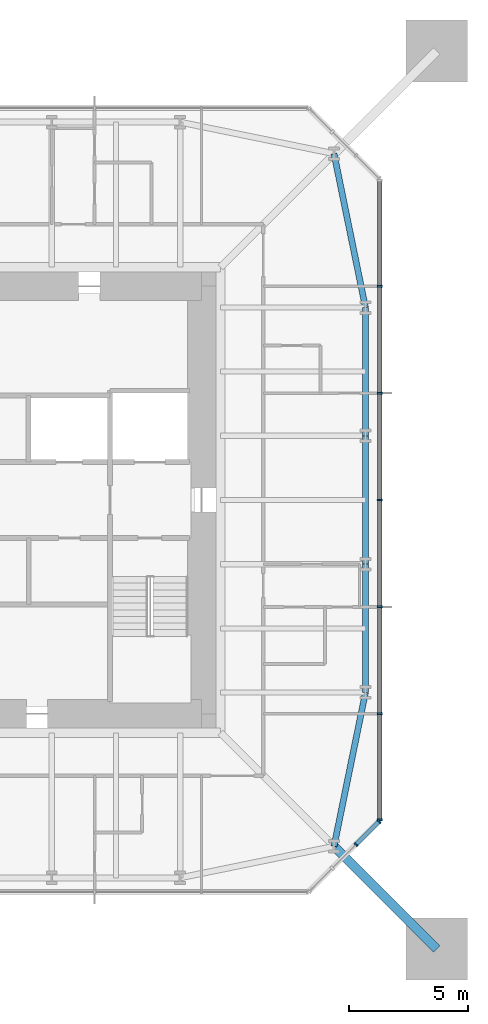
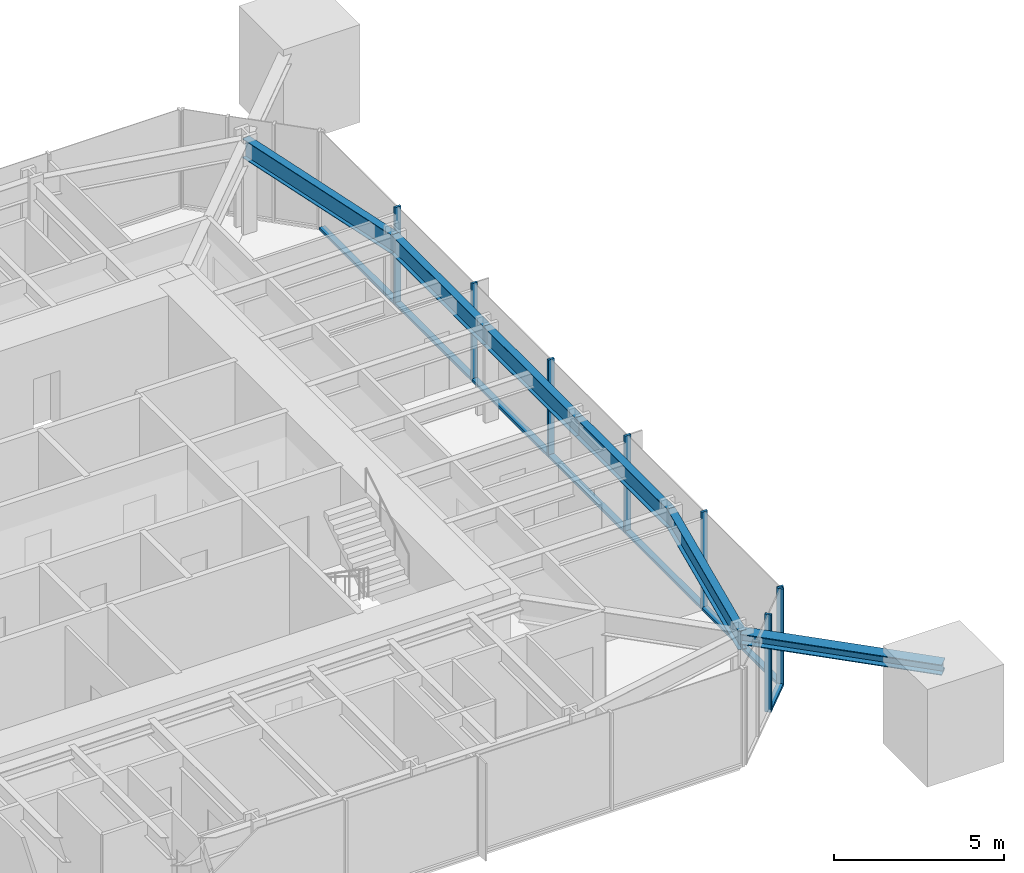
# One storey, part 3 of 9: 16 members, 5 beams, 2 elements without a shape of their own.
"""IFC4 building model written with IfcOpenShell, lengths in metres."""

import ifcopenshell
import ifcopenshell.guid

model = None  # the IFC model being written
_history = None  # IfcOwnerHistory: only IFC2X3 demands one
_inside = {}  # id of a spatial element -> (the spatial element, [elements in it])
_under = {}  # id of a project, library or spatial element -> (it, [spatial elements below it])
_declared = {}  # id of a project -> (the project, [libraries it declares])
_typed = {}  # id of a type object -> (the type object, [elements of that type])
_made_of = {}  # id of a material, layer set ... -> (it, [elements and type objects made of it])


def new_model(schema):
    """Start an empty IFC model of exactly this schema.

    Asked for "IFC4X3", IfcOpenShell would pick the latest addendum, in which some entities
    have other attributes; the version numbers below select the first issue.
    IFC2X3 requires an IfcOwnerHistory on every rooted entity: one is made here for all.
    """
    global model, _history
    if schema == "IFC4X3":
        model = ifcopenshell.file(schema_version=(4, 3, 0, 0))
    else:
        model = ifcopenshell.file(schema=schema)
    _inside.clear()
    _under.clear()
    _declared.clear()
    _typed.clear()
    _made_of.clear()
    _history = None
    if model.schema == "IFC2X3":
        org = make("IfcOrganization", Name="unknown")
        user = make(
            "IfcPersonAndOrganization",
            ThePerson=make("IfcPerson", FamilyName="unknown"),
            TheOrganization=org,
        )
        app = make(
            "IfcApplication",
            ApplicationDeveloper=org,
            Version="unknown",
            ApplicationFullName="unknown",
            ApplicationIdentifier="unknown",
        )
        _history = make(
            "IfcOwnerHistory",
            OwningUser=user,
            OwningApplication=app,
            ChangeAction="ADDED",
            CreationDate=0,
        )
    return model


def make(cls, **values):
    """One entity of the class cls with the attributes given. An attribute that is None is left unset."""
    return model.create_entity(
        cls, **{name: value for name, value in values.items() if value is not None}
    )


def rooted(cls, **values):
    """An entity with a GlobalId (a new one), such as an element, a storey or a relation."""
    return make(cls, GlobalId=ifcopenshell.guid.new(), OwnerHistory=_history, **values)


def si_unit(unit_type, name, prefix=None):
    """IfcSIUnit, for example si_unit("LENGTHUNIT", "METRE", prefix="MILLI")."""
    return make("IfcSIUnit", UnitType=unit_type, Prefix=prefix, Name=name)


def assignment(units):
    """IfcUnitAssignment: the units of a project."""
    return None if units is None else make("IfcUnitAssignment", Units=units)


def point(xyz):
    """IfcCartesianPoint."""
    return None if xyz is None else make("IfcCartesianPoint", Coordinates=xyz)


def direction(xyz):
    """IfcDirection."""
    return None if xyz is None else make("IfcDirection", DirectionRatios=xyz)


def frame(location, z_axis=None, x_axis=None):
    """IfcAxis2Placement3D, a coordinate frame: its origin and axes. An axis left out is left unset."""
    return make(
        "IfcAxis2Placement3D",
        Location=point(location),
        Axis=direction(z_axis),
        RefDirection=direction(x_axis),
    )


def frame_2d(location, x_axis=None):
    """IfcAxis2Placement2D, a coordinate frame in the plane: its origin and x axis."""
    return make(
        "IfcAxis2Placement2D", Location=point(location), RefDirection=direction(x_axis)
    )


def origin():
    """The frame at (0, 0, 0) with its axes left unset."""
    return frame((0.0, 0.0, 0.0))


def origin_2d():
    """The frame at (0, 0) in the plane with its x axis left unset."""
    return frame_2d((0.0, 0.0))


def place(relative_to, where):
    """IfcLocalPlacement: puts the frame where relative to a parent placement (None: the world)."""
    return make(
        "IfcLocalPlacement", PlacementRelTo=relative_to, RelativePlacement=where
    )


def context(
    kind, dimensions, precision=None, world=None, true_north=None, identifier=None
):
    """IfcGeometricRepresentationContext, for example the 3D "Model" context."""
    return make(
        "IfcGeometricRepresentationContext",
        ContextIdentifier=identifier,
        ContextType=kind,
        CoordinateSpaceDimension=dimensions,
        Precision=precision,
        WorldCoordinateSystem=world,
        TrueNorth=true_north,
    )


def subcontext(parent, identifier, kind, view, scale=None):
    """IfcGeometricRepresentationSubContext, for example "Body" below "Model"."""
    return make(
        "IfcGeometricRepresentationSubContext",
        ContextIdentifier=identifier,
        ContextType=kind,
        ParentContext=parent,
        TargetScale=scale,
        TargetView=view,
    )


def project(units=None, contexts=None):
    """IfcProject with its units and contexts."""
    return rooted(
        "IfcProject",
        Name="project",
        RepresentationContexts=contexts,
        UnitsInContext=assignment(units),
    )


def spatial(cls, under=None, at=None, **own):
    """A site, building, storey or space (cls), placed at a placement, below another one or the project."""
    s = rooted(cls, ObjectPlacement=at, **own)
    if under is not None:
        _under.setdefault(under.id(), (under, []))[1].append(s)
    return s


def profile(cls, at=None, kind="AREA", **sizes):
    """A parametric profile (cls). Its sizes go by their IFC names, for example OverallWidth=200.0."""
    return make(cls, ProfileType=kind, Position=at, **sizes)


def rectangle(**sizes):
    """IfcRectangleProfileDef."""
    return profile("IfcRectangleProfileDef", **sizes)


def i_section(**sizes):
    """IfcIShapeProfileDef."""
    return profile("IfcIShapeProfileDef", **sizes)


def extrude(swept, where, along, depth):
    """IfcExtrudedAreaSolid: the profile swept, set in the frame where, extruded along a direction by depth."""
    return make(
        "IfcExtrudedAreaSolid",
        SweptArea=swept,
        Position=where,
        ExtrudedDirection=direction(along),
        Depth=depth,
    )


def shape(context_of_items, identifier, shape_type, items):
    """IfcShapeRepresentation: the items that make up one representation, for example the "Body"."""
    return make(
        "IfcShapeRepresentation",
        ContextOfItems=context_of_items,
        RepresentationIdentifier=identifier,
        RepresentationType=shape_type,
        Items=items,
    )


def material(Name=None, Category=None):
    """IfcMaterial."""
    return make("IfcMaterial", Name=Name, Category=Category)


def material_profile(
    of_material, cross_section, Name=None, Category=None, Priority=None
):
    """IfcMaterialProfile: a cross section and its material."""
    return make(
        "IfcMaterialProfile",
        Name=Name,
        Material=of_material,
        Profile=cross_section,
        Priority=Priority,
        Category=Category,
    )


def profile_set(profiles, Name=None, composite=None):
    """IfcMaterialProfileSet."""
    return make(
        "IfcMaterialProfileSet",
        Name=Name,
        MaterialProfiles=profiles,
        CompositeProfile=composite,
    )


def made_of(thing, what):
    """Note that an element or type object is made of a material, layer set ...; save() writes the relation."""
    if what is not None:
        _made_of.setdefault(what.id(), (what, []))[1].append(thing)
    return thing


def type_object(cls, material=None, **own):
    """A type object (cls), such as IfcWallType, which elements share."""
    return made_of(rooted(cls, **own), material)


def element(
    cls,
    number,
    at=None,
    inside=None,
    cuts=None,
    type_object=None,
    material=None,
    context=None,
    identifier="Body",
    shape_type=None,
    held_by="IfcProductDefinitionShape",
    body=None,
    shapes=None,
    **own,
):
    """One element of the class cls, such as IfcWall. Its Tag is "e" and its number.

    at: its placement. inside: the storey or other place that contains it. cuts: it is an
    opening in that element (IfcRelVoidsElement). A single representation is given by context,
    identifier, shape_type and body (its items); several are given by shapes. held_by: the class
    of the entity that holds the representations. save() writes the other relations.
    """
    e = rooted(cls, Tag="e%d" % number, ObjectPlacement=at, **own)
    if body is not None:
        shapes = [shape(context, identifier, shape_type, body)]
    if shapes is not None:
        e.Representation = make(held_by, Representations=shapes)
    if inside is not None:
        _inside.setdefault(inside.id(), (inside, []))[1].append(e)
    if cuts is not None:
        rooted(
            "IfcRelVoidsElement", RelatingBuildingElement=cuts, RelatedOpeningElement=e
        )
    if type_object is not None:
        _typed.setdefault(type_object.id(), (type_object, []))[1].append(e)
    return made_of(e, material)


def aggregate(whole, parts):
    """IfcRelAggregates: a whole, such as a stair, and the parts it consists of."""
    return rooted("IfcRelAggregates", RelatingObject=whole, RelatedObjects=parts)


def save(model, path):
    """Write the relations noted so far, then the file.

    IfcRelAggregates (storeys below a building ...), IfcRelContainedInSpatialStructure (elements
    in a storey), IfcRelDefinesByType, IfcRelAssociatesMaterial and IfcRelDeclares: one each for
    every whole, place, type object, material and project.
    """
    for whole, parts in _under.values():
        aggregate(whole, parts)
    for where, things in _inside.values():
        rooted(
            "IfcRelContainedInSpatialStructure",
            RelatedElements=things,
            RelatingStructure=where,
        )
    for kind, things in _typed.values():
        rooted("IfcRelDefinesByType", RelatedObjects=things, RelatingType=kind)
    for what, things in _made_of.values():
        rooted("IfcRelAssociatesMaterial", RelatedObjects=things, RelatingMaterial=what)
    for by, libraries in _declared.values():
        rooted("IfcRelDeclares", RelatingContext=by, RelatedDefinitions=libraries)
    model.write(path)


model = new_model("IFC4")

# Units and contexts
model_context = context("Model", 3, precision=1e-05, world=origin(), true_north=direction((0.0, 1.0)))
body_context = subcontext(model_context, "Body", "Model", "MODEL_VIEW")
ifc_project = project(units=[si_unit("LENGTHUNIT", "METRE"), si_unit("AREAUNIT", "SQUARE_METRE"), si_unit("VOLUMEUNIT", "CUBIC_METRE"), si_unit("PLANEANGLEUNIT", "RADIAN"), si_unit("MASSUNIT", "GRAM", prefix="KILO")], contexts=[model_context])

# Site, building, storey
site_placement = place(None, origin())
site = spatial("IfcSite", under=ifc_project, at=site_placement, CompositionType="ELEMENT")
building_placement = place(site_placement, origin())
building = spatial("IfcBuilding", under=site, at=building_placement, Name="Iwan Alto Co-Living Towers", CompositionType="ELEMENT")
storey_placement = place(building_placement, frame((0.0, 0.0, 243.0)))
storey = spatial("IfcBuildingStorey", under=building, at=storey_placement, Name="L66", CompositionType="ELEMENT", Elevation=243.0)

# Curtain wall, members
ifc_material_1 = material(Name="Bronze aluminium unitised frame", Category="aluminium")
curtain_wall_type_1 = type_object("IfcCurtainWallType", Name="CURTAIN WALL CW-A", PredefinedType="NOTDEFINED", material=ifc_material_1)
curtain_wall_1_placement = place(storey_placement, origin())
curtain_wall_1 = element("IfcCurtainWall", 1, at=curtain_wall_1_placement, inside=storey, type_object=curtain_wall_type_1, Name="T1 curtain wall E L66", PredefinedType="NOTDEFINED")
ifc_material_2 = material(Name="Aluminium 6063-T6 bronze anodised", Category="aluminium")
ifc_material_profile_1 = material_profile(ifc_material_2, rectangle(XDim=0.199951171875, YDim=0.080078125, at=origin_2d()), Name="AL 80X200")
ifc_profile_set_1 = profile_set([ifc_material_profile_1], Name="Aluminium 6063-T6 bronze anodised")
member_type_1 = type_object("IfcMemberType", Name="CW-A MULLION 80X200", PredefinedType="MULLION", material=ifc_profile_set_1)
member_1_placement = place(storey_placement, frame((16.5, -13.4599609375, 0.0), z_axis=(0.0, 0.0, 1.0), x_axis=(-1.0, 0.0, 0.0)))
member_1 = element("IfcMember", 2, at=member_1_placement, type_object=member_type_1, Name="CW-A mullion 1", PredefinedType="MULLION", context=body_context, shape_type="SweptSolid", body=[
    extrude(rectangle(XDim=0.199951171875, YDim=0.080078125, at=origin_2d()), origin(), (0.0, 0.0, 1.0), 3.5),
])
member_2_placement = place(storey_placement, frame((16.5, -9.0, 0.0), z_axis=(0.0, 0.0, 1.0), x_axis=(-1.0, 0.0, 0.0)))
member_2 = element("IfcMember", 3, at=member_2_placement, type_object=member_type_1, Name="CW-A mullion 2", PredefinedType="MULLION", context=body_context, shape_type="SweptSolid", body=[
    extrude(rectangle(XDim=0.199951171875, YDim=0.080078125, at=origin_2d()), origin(), (0.0, 0.0, 1.0), 3.5),
])
member_3_placement = place(storey_placement, frame((16.5, -4.5, 0.0), z_axis=(0.0, 0.0, 1.0), x_axis=(-1.0, 0.0, 0.0)))
member_3 = element("IfcMember", 4, at=member_3_placement, type_object=member_type_1, Name="CW-A mullion 3", PredefinedType="MULLION", context=body_context, shape_type="SweptSolid", body=[
    extrude(rectangle(XDim=0.199951171875, YDim=0.080078125, at=origin_2d()), origin(), (0.0, 0.0, 1.0), 3.5),
])
member_4_placement = place(storey_placement, frame((16.5, 0.0, 0.0), z_axis=(0.0, 0.0, 1.0), x_axis=(-1.0, 0.0, 0.0)))
member_4 = element("IfcMember", 5, at=member_4_placement, type_object=member_type_1, Name="CW-A mullion 4", PredefinedType="MULLION", context=body_context, shape_type="SweptSolid", body=[
    extrude(rectangle(XDim=0.199951171875, YDim=0.080078125, at=origin_2d()), origin(), (0.0, 0.0, 1.0), 3.5),
])
member_5_placement = place(storey_placement, frame((16.5, 4.5, 0.0), z_axis=(0.0, 0.0, 1.0), x_axis=(-1.0, 0.0, 0.0)))
member_5 = element("IfcMember", 6, at=member_5_placement, type_object=member_type_1, Name="CW-A mullion 5", PredefinedType="MULLION", context=body_context, shape_type="SweptSolid", body=[
    extrude(rectangle(XDim=0.199951171875, YDim=0.080078125, at=origin_2d()), origin(), (0.0, 0.0, 1.0), 3.5),
])
member_6_placement = place(storey_placement, frame((16.5, 9.0, 0.0), z_axis=(0.0, 0.0, 1.0), x_axis=(-1.0, 0.0, 0.0)))
member_6 = element("IfcMember", 7, at=member_6_placement, type_object=member_type_1, Name="CW-A mullion 6", PredefinedType="MULLION", context=body_context, shape_type="SweptSolid", body=[
    extrude(rectangle(XDim=0.199951171875, YDim=0.080078125, at=origin_2d()), origin(), (0.0, 0.0, 1.0), 3.5),
])
ifc_material_3 = material(Name="Aluminium 6063-T6 bronze anodised", Category="aluminium")
ifc_material_profile_2 = material_profile(ifc_material_3, rectangle(XDim=0.199951171875, YDim=0.10009765625, at=origin_2d()), Name="AL 200X100")
ifc_profile_set_2 = profile_set([ifc_material_profile_2], Name="Aluminium 6063-T6 bronze anodised")
member_type_2 = type_object("IfcMemberType", Name="CW-A TRANSOM 200X100", PredefinedType="USERDEFINED", material=ifc_profile_set_2)
member_7_placement = place(storey_placement, frame((16.5, -13.419921875, 0.050048828125), z_axis=(0.0, 1.0, 0.0), x_axis=(-1.0, 0.0, 0.0)))
member_7 = element("IfcMember", 8, at=member_7_placement, type_object=member_type_2, Name="CW-A transom 1.1", ObjectType="TRANSOM", PredefinedType="USERDEFINED", context=body_context, shape_type="SweptSolid", body=[
    extrude(rectangle(XDim=0.199951171875, YDim=0.10009765625, at=origin_2d()), origin(), (0.0, 0.0, 1.0), 4.3798828125),
])
member_8_placement = place(storey_placement, frame((16.5, -8.9599609375, 0.050048828125), z_axis=(0.0, 1.0, 0.0), x_axis=(-1.0, 0.0, 0.0)))
member_8 = element("IfcMember", 9, at=member_8_placement, type_object=member_type_2, Name="CW-A transom 2.1", ObjectType="TRANSOM", PredefinedType="USERDEFINED", context=body_context, shape_type="SweptSolid", body=[
    extrude(rectangle(XDim=0.199951171875, YDim=0.10009765625, at=origin_2d()), origin(), (0.0, 0.0, 1.0), 4.419921875),
])
member_9_placement = place(storey_placement, frame((16.5, -4.4599609375, 0.050048828125), z_axis=(0.0, 1.0, 0.0), x_axis=(-1.0, 0.0, 0.0)))
member_9 = element("IfcMember", 10, at=member_9_placement, type_object=member_type_2, Name="CW-A transom 3.1", ObjectType="TRANSOM", PredefinedType="USERDEFINED", context=body_context, shape_type="SweptSolid", body=[
    extrude(rectangle(XDim=0.199951171875, YDim=0.10009765625, at=origin_2d()), origin(), (0.0, 0.0, 1.0), 4.419921875),
])
member_10_placement = place(storey_placement, frame((16.5, 0.0400390625, 0.050048828125), z_axis=(0.0, 1.0, 0.0), x_axis=(-1.0, 0.0, 0.0)))
member_10 = element("IfcMember", 11, at=member_10_placement, type_object=member_type_2, Name="CW-A transom 4.1", ObjectType="TRANSOM", PredefinedType="USERDEFINED", context=body_context, shape_type="SweptSolid", body=[
    extrude(rectangle(XDim=0.199951171875, YDim=0.10009765625, at=origin_2d()), origin(), (0.0, 0.0, 1.0), 4.419921875),
])
member_11_placement = place(storey_placement, frame((16.5, 4.5400390625, 0.050048828125), z_axis=(0.0, 1.0, 0.0), x_axis=(-1.0, 0.0, 0.0)))
member_11 = element("IfcMember", 12, at=member_11_placement, type_object=member_type_2, Name="CW-A transom 5.1", ObjectType="TRANSOM", PredefinedType="USERDEFINED", context=body_context, shape_type="SweptSolid", body=[
    extrude(rectangle(XDim=0.199951171875, YDim=0.10009765625, at=origin_2d()), origin(), (0.0, 0.0, 1.0), 4.419921875),
])
member_12_placement = place(storey_placement, frame((16.5, 9.0400390625, 0.050048828125), z_axis=(0.0, 1.0, 0.0), x_axis=(-1.0, 0.0, 0.0)))
member_12 = element("IfcMember", 13, at=member_12_placement, type_object=member_type_2, Name="CW-A transom 6.1", ObjectType="TRANSOM", PredefinedType="USERDEFINED", context=body_context, shape_type="SweptSolid", body=[
    extrude(rectangle(XDim=0.199951171875, YDim=0.10009765625, at=origin_2d()), origin(), (0.0, 0.0, 1.0), 4.3798828125),
])
aggregate(curtain_wall_1, [member_1, member_2, member_3, member_4, member_5, member_6, member_7, member_8, member_9, member_10, member_11, member_12])

ifc_material_4 = material(Name="Bronze aluminium unitised frame", Category="aluminium")
curtain_wall_type_2 = type_object("IfcCurtainWallType", Name="CURTAIN WALL CW-B", PredefinedType="NOTDEFINED", material=ifc_material_4)
curtain_wall_2_placement = place(storey_placement, origin())
curtain_wall_2 = element("IfcCurtainWall", 14, at=curtain_wall_2_placement, inside=storey, type_object=curtain_wall_type_2, Name="T1 chamfer curtain wall SE L66", PredefinedType="NOTDEFINED")
ifc_material_5 = material(Name="Aluminium 6063-T6 bronze anodised", Category="aluminium")
ifc_material_profile_3 = material_profile(ifc_material_5, rectangle(XDim=0.199951171875, YDim=0.080078125, at=origin_2d()), Name="AL 80X200")
ifc_profile_set_3 = profile_set([ifc_material_profile_3], Name="Aluminium 6063-T6 bronze anodised")
member_type_3 = type_object("IfcMemberType", Name="CW-B MULLION 80X200", PredefinedType="MULLION", material=ifc_profile_set_3)
member_13_placement = place(storey_placement, frame((15.5, -14.5, 0.0), z_axis=(0.0, 0.0, 1.0), x_axis=(-0.707106781187, 0.707106781187, 0.0)))
member_13 = element("IfcMember", 15, at=member_13_placement, type_object=member_type_3, Name="CW-B mullion 3", PredefinedType="MULLION", context=body_context, shape_type="SweptSolid", body=[
    extrude(rectangle(XDim=0.199951171875, YDim=0.080078125, at=origin_2d()), origin(), (0.0, 0.0, 1.0), 3.5),
])
member_14_placement = place(storey_placement, frame((16.4716796875, -13.5283203125, 0.0), z_axis=(0.0, 0.0, 1.0), x_axis=(-0.707106781187, 0.707106781187, 0.0)))
member_14 = element("IfcMember", 16, at=member_14_placement, type_object=member_type_3, Name="CW-B mullion 4", PredefinedType="MULLION", context=body_context, shape_type="SweptSolid", body=[
    extrude(rectangle(XDim=0.199951171875, YDim=0.080078125, at=origin_2d()), origin(), (0.0, 0.0, 1.0), 3.5),
])
ifc_material_6 = material(Name="Aluminium 6063-T6 bronze anodised", Category="aluminium")
ifc_material_profile_4 = material_profile(ifc_material_6, rectangle(XDim=0.199951171875, YDim=0.10009765625, at=origin_2d()), Name="AL 200X100")
ifc_profile_set_4 = profile_set([ifc_material_profile_4], Name="Aluminium 6063-T6 bronze anodised")
member_type_4 = type_object("IfcMemberType", Name="CW-B TRANSOM 200X100", PredefinedType="USERDEFINED", material=ifc_profile_set_4)
member_15_placement = place(storey_placement, frame((15.5283203125, -14.4716796875, 0.050048828125), z_axis=(0.707106781187, 0.707106781187, 0.0), x_axis=(-0.707106781187, 0.707106781187, 0.0)))
member_15 = element("IfcMember", 17, at=member_15_placement, type_object=member_type_4, Name="CW-B transom 3.1", ObjectType="TRANSOM", PredefinedType="USERDEFINED", context=body_context, shape_type="SweptSolid", body=[
    extrude(rectangle(XDim=0.199951171875, YDim=0.10009765625, at=origin_2d()), origin(), (0.0, 0.0, 1.0), 1.2939453125),
])
aggregate(curtain_wall_2, [member_13, member_14, member_15])

# Beams
ifc_material_7 = material(Name="Steel ASTM A992 Gr 50", Category="steel")
ifc_material_profile_5 = material_profile(ifc_material_7, i_section(OverallWidth=0.25390625, OverallDepth=0.683349609375, WebThickness=0.012451171875, FlangeThickness=0.018798828125, at=origin_2d()), Name="W27X94")
ifc_profile_set_5 = profile_set([ifc_material_profile_5], Name="Steel ASTM A992 Gr 50")
beam_type = type_object("IfcBeamType", Name="T1 EDGE BEAM W27X94", PredefinedType="BEAM", material=ifc_profile_set_5)
beam_1_placement = place(storey_placement, frame((14.57568359375, -14.57568359375, 2.928466796875), z_axis=(0.200347889618, 0.979724820103, 0.0), x_axis=(-0.979724820103, 0.200347889618, 0.0)))
element("IfcBeam", 18, at=beam_1_placement, inside=storey, type_object=beam_type, Name="T1 edge beam CSE L67", PredefinedType="BEAM", context=body_context, shape_type="SweptSolid", body=[
    extrude(i_section(OverallWidth=0.25390625, OverallDepth=0.683349609375, WebThickness=0.012451171875, FlangeThickness=0.018798828125, at=origin_2d()), origin(), (0.0, 0.0, 1.0), 6.609619140625),
])
beam_2_placement = place(storey_placement, frame((15.89990234375, -8.10009765625, 2.928466796875), z_axis=(0.0, 1.0, 0.0), x_axis=(-1.0, 0.0, 0.0)))
element("IfcBeam", 19, at=beam_2_placement, inside=storey, type_object=beam_type, Name="T1 edge beam E1 L67", PredefinedType="BEAM", context=body_context, shape_type="SweptSolid", body=[
    extrude(i_section(OverallWidth=0.25390625, OverallDepth=0.683349609375, WebThickness=0.012451171875, FlangeThickness=0.018798828125, at=origin_2d()), origin(), (0.0, 0.0, 1.0), 5.400146484375),
])
beam_3_placement = place(storey_placement, frame((15.89990234375, -2.699951171875, 2.928466796875), z_axis=(0.0, 1.0, 0.0), x_axis=(-1.0, 0.0, 0.0)))
element("IfcBeam", 20, at=beam_3_placement, inside=storey, type_object=beam_type, Name="T1 edge beam E2 L67", PredefinedType="BEAM", context=body_context, shape_type="SweptSolid", body=[
    extrude(i_section(OverallWidth=0.25390625, OverallDepth=0.683349609375, WebThickness=0.012451171875, FlangeThickness=0.018798828125, at=origin_2d()), origin(), (0.0, 0.0, 1.0), 5.39990234375),
])
beam_4_placement = place(storey_placement, frame((15.89990234375, 2.699951171875, 2.928466796875), z_axis=(0.0, 1.0, 0.0), x_axis=(-1.0, 0.0, 0.0)))
element("IfcBeam", 21, at=beam_4_placement, inside=storey, type_object=beam_type, Name="T1 edge beam E3 L67", PredefinedType="BEAM", context=body_context, shape_type="SweptSolid", body=[
    extrude(i_section(OverallWidth=0.25390625, OverallDepth=0.683349609375, WebThickness=0.012451171875, FlangeThickness=0.018798828125, at=origin_2d()), origin(), (0.0, 0.0, 1.0), 5.400146484375),
])
beam_5_placement = place(storey_placement, frame((15.89990234375, 8.10009765625, 2.928466796875), z_axis=(-0.200347889618, 0.979724820103, 0.0), x_axis=(-0.979724820103, -0.200347889618, 0.0)))
element("IfcBeam", 22, at=beam_5_placement, inside=storey, type_object=beam_type, Name="T1 edge beam E4 L67", PredefinedType="BEAM", context=body_context, shape_type="SweptSolid", body=[
    extrude(i_section(OverallWidth=0.25390625, OverallDepth=0.683349609375, WebThickness=0.012451171875, FlangeThickness=0.018798828125, at=origin_2d()), origin(), (0.0, 0.0, 1.0), 6.609619140625),
])

# Member
ifc_material_8 = material(Name="Steel ASTM A992 Gr 50", Category="steel")
ifc_material_profile_6 = material_profile(ifc_material_8, i_section(OverallWidth=0.393798828125, OverallDepth=0.3759765625, WebThickness=0.017333984375, FlangeThickness=0.027587890625, at=origin_2d()), Name="W14X145")
ifc_profile_set_6 = profile_set([ifc_material_profile_6], Name="Steel ASTM A992 Gr 50")
member_type_5 = type_object("IfcMemberType", Name="T1 MEGA COLUMN FLOOR TIE W14X145", PredefinedType="STRUT", material=ifc_profile_set_6)
member_16_placement = place(storey_placement, frame((18.89990234375, -18.89990234375, 3.08203125), z_axis=(-0.707106781187, 0.707106781187, 0.0), x_axis=(-0.707106781187, -0.707106781187, 0.0)))
element("IfcMember", 23, at=member_16_placement, inside=storey, type_object=member_type_5, Name="T1 mega column floor tie SE L67", PredefinedType="STRUT", context=body_context, shape_type="SweptSolid", body=[
    extrude(i_section(OverallWidth=0.393798828125, OverallDepth=0.3759765625, WebThickness=0.017333984375, FlangeThickness=0.027587890625, at=origin_2d()), origin(), (0.0, 0.0, 1.0), 6.115478515625),
])

save(model, "model.ifc")
